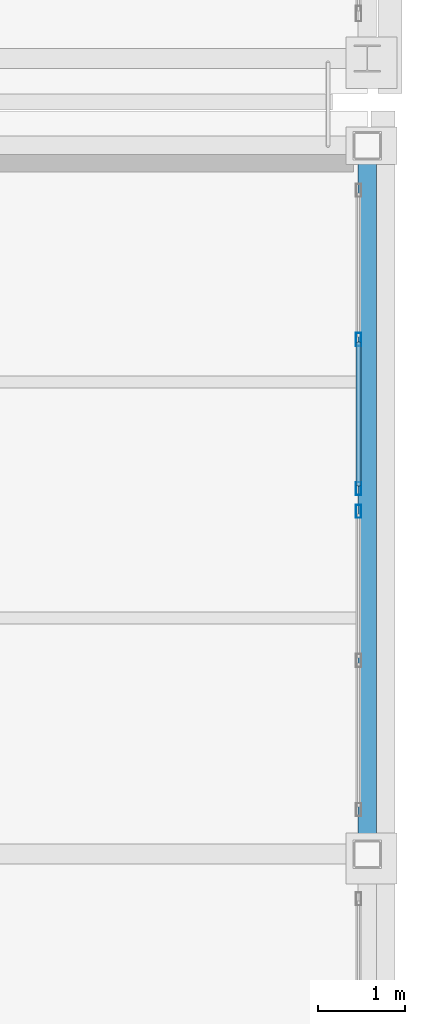
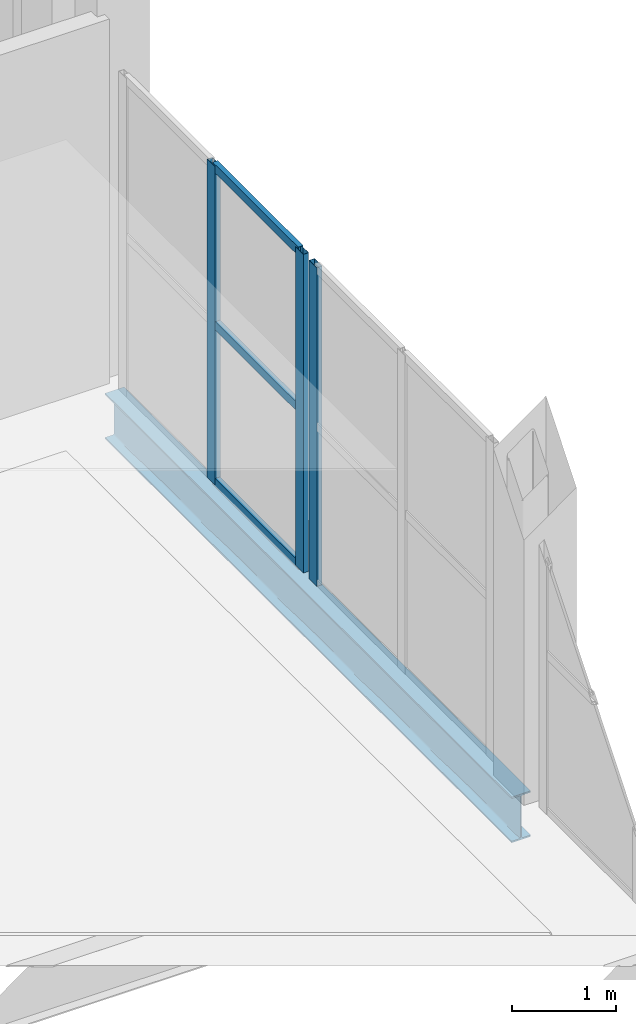
# One storey, part 80 of 156: 6 members, 1 beam, 2 elements without a shape of their own.
"""IFC4 building model written with IfcOpenShell, lengths in metres."""

from ifc_helpers import new_model, si_unit, direction, frame, origin, origin_2d, place, context, subcontext, project, spatial, hollow_rectangle, i_section, extrude, material, material_profile, profile_set, type_object, element, aggregate, save


model = new_model("IFC4")

# Units and contexts
model_context = context("Model", 3, precision=1e-05, world=origin(), true_north=direction((0.0, 1.0)))
body_context = subcontext(model_context, "Body", "Model", "MODEL_VIEW")
ifc_project = project(units=[si_unit("LENGTHUNIT", "METRE"), si_unit("AREAUNIT", "SQUARE_METRE"), si_unit("VOLUMEUNIT", "CUBIC_METRE"), si_unit("PLANEANGLEUNIT", "RADIAN"), si_unit("MASSUNIT", "GRAM", prefix="KILO")], contexts=[model_context])

# Site, building, storey
site_placement = place(None, origin())
site = spatial("IfcSite", under=ifc_project, at=site_placement, CompositionType="ELEMENT")
building_placement = place(site_placement, origin())
building = spatial("IfcBuilding", under=site, at=building_placement, Name="Caurita Quay Ferry Terminal", CompositionType="ELEMENT")
storey_placement = place(building_placement, frame((0.0, 0.0, 5.39990234375)))
storey = spatial("IfcBuildingStorey", under=building, at=storey_placement, Name="L01", CompositionType="ELEMENT", Elevation=5.39990234375)

# Beam
ifc_material_1 = material(Name="Structural steel ASTM A992 Gr. 50", Category="steel")
ifc_material_profile_1 = material_profile(ifc_material_1, i_section(OverallWidth=0.210693359375, OverallDepth=0.53857421875, WebThickness=0.01171875, FlangeThickness=0.018798828125, FilletRadius=0.013916015625, at=origin_2d()), Name="W21X73")
ifc_profile_set_1 = profile_set([ifc_material_profile_1], Name="Structural steel ASTM A992 Gr. 50")
beam_type = type_object("IfcBeamType", Name="BM-GR-W21A", PredefinedType="BEAM", material=ifc_profile_set_1)
beam_placement = place(storey_placement, frame((174.0, 25.62939453125, -0.504150390625), z_axis=(0.0, 1.0, 0.0), x_axis=(-1.0, 0.0, 0.0)))
element("IfcBeam", 1, at=beam_placement, inside=storey, type_object=beam_type, Name="L01 Beam BM-V3P-L01-Y-1740-256", PredefinedType="BEAM", context=body_context, shape_type="SweptSolid", body=[
    extrude(i_section(OverallWidth=0.210693359375, OverallDepth=0.53857421875, WebThickness=0.01171875, FlangeThickness=0.018798828125, FilletRadius=0.013916015625, at=origin_2d()), origin(), (0.0, 0.0, 1.0), 7.841064453125),
])

# Curtain wall, member
ifc_material_2 = material(Name="Laminated solar-control insulated glass", Category="glass")
curtain_wall_type = type_object("IfcCurtainWallType", Name="CW-SYS-16", PredefinedType="NOTDEFINED", material=ifc_material_2)
curtain_wall_1_placement = place(storey_placement, origin())
curtain_wall_1 = element("IfcCurtainWall", 2, at=curtain_wall_1_placement, inside=storey, type_object=curtain_wall_type, Name="Boarding Gangway Ribbon Curtain Wall 134", PredefinedType="NOTDEFINED")
ifc_material_3 = material(Name="Anodized aluminium 6063-T6", Category="aluminium")
ifc_material_profile_2 = material_profile(ifc_material_3, hollow_rectangle(XDim=0.06005859375, YDim=0.14990234375, WallThickness=0.00341796875, at=origin_2d()), Name="ALU-MUL-60X150")
ifc_profile_set_2 = profile_set([ifc_material_profile_2], Name="Anodized aluminium 6063-T6")
member_type_1 = type_object("IfcMemberType", Name="CW-MUL-150", PredefinedType="MULLION", material=ifc_profile_set_2)
member_1_placement = place(storey_placement, frame((173.89990234375, 29.419921875, 0.0), z_axis=(0.0, 0.0, 1.0), x_axis=(-1.0, 0.0, 0.0)))
member_1 = element("IfcMember", 3, at=member_1_placement, type_object=member_type_1, Name="CW-BGW-134 Mullion 3", PredefinedType="MULLION", context=body_context, shape_type="SweptSolid", body=[
    extrude(hollow_rectangle(XDim=0.06005859375, YDim=0.14990234375, WallThickness=0.00341796875, at=origin_2d()), origin(), (0.0, 0.0, 1.0), 3.75),
])
aggregate(curtain_wall_1, [member_1])

# Curtain wall, members
curtain_wall_2_placement = place(storey_placement, origin())
curtain_wall_2 = element("IfcCurtainWall", 4, at=curtain_wall_2_placement, inside=storey, type_object=curtain_wall_type, Name="Boarding Gangway Ribbon Curtain Wall 135", PredefinedType="NOTDEFINED")
member_2_placement = place(storey_placement, frame((173.89990234375, 29.679931640625, 0.0), z_axis=(0.0, 0.0, 1.0), x_axis=(-1.0, 0.0, 0.0)))
member_2 = element("IfcMember", 5, at=member_2_placement, type_object=member_type_1, Name="CW-BGW-135 Mullion 1", PredefinedType="MULLION", context=body_context, shape_type="SweptSolid", body=[
    extrude(hollow_rectangle(XDim=0.06005859375, YDim=0.14990234375, WallThickness=0.00341796875, at=origin_2d()), origin(), (0.0, 0.0, 1.0), 3.75),
])
member_3_placement = place(storey_placement, frame((173.89990234375, 31.385009765625, 0.0), z_axis=(0.0, 0.0, 1.0), x_axis=(-1.0, 0.0, 0.0)))
member_3 = element("IfcMember", 6, at=member_3_placement, type_object=member_type_1, Name="CW-BGW-135 Mullion 2", PredefinedType="MULLION", context=body_context, shape_type="SweptSolid", body=[
    extrude(hollow_rectangle(XDim=0.06005859375, YDim=0.14990234375, WallThickness=0.00341796875, at=origin_2d()), origin(), (0.0, 0.0, 1.0), 3.75),
])
ifc_material_profile_3 = material_profile(ifc_material_3, hollow_rectangle(XDim=0.054931640625, YDim=0.10009765625, WallThickness=0.00341796875, at=origin_2d()), Name="ALU-TRN-55X100")
ifc_profile_set_3 = profile_set([ifc_material_profile_3], Name="Anodized aluminium 6063-T6")
member_type_2 = type_object("IfcMemberType", Name="CW-TRN-100", PredefinedType="USERDEFINED", material=ifc_profile_set_3)
member_4_placement = place(storey_placement, frame((173.89990234375, 29.7080078125, 0.027587890625), z_axis=(0.0, 1.0, 0.0), x_axis=(-1.0, 0.0, 0.0)))
member_4 = element("IfcMember", 7, at=member_4_placement, type_object=member_type_2, Name="CW-BGW-135 Transom 1", ObjectType="TRANSOM", PredefinedType="USERDEFINED", context=body_context, shape_type="SweptSolid", body=[
    extrude(hollow_rectangle(XDim=0.054931640625, YDim=0.10009765625, WallThickness=0.00341796875, at=origin_2d()), origin(), (0.0, 0.0, 1.0), 1.64892578125),
])
member_5_placement = place(storey_placement, frame((173.89990234375, 29.7080078125, 1.875), z_axis=(0.0, 1.0, 0.0), x_axis=(-1.0, 0.0, 0.0)))
member_5 = element("IfcMember", 8, at=member_5_placement, type_object=member_type_2, Name="CW-BGW-135 Transom 2", ObjectType="TRANSOM", PredefinedType="USERDEFINED", context=body_context, shape_type="SweptSolid", body=[
    extrude(hollow_rectangle(XDim=0.054931640625, YDim=0.10009765625, WallThickness=0.00341796875, at=origin_2d()), origin(), (0.0, 0.0, 1.0), 1.64892578125),
])
member_6_placement = place(storey_placement, frame((173.89990234375, 29.7080078125, 3.72265625), z_axis=(0.0, 1.0, 0.0), x_axis=(-1.0, 0.0, 0.0)))
member_6 = element("IfcMember", 9, at=member_6_placement, type_object=member_type_2, Name="CW-BGW-135 Transom 3", ObjectType="TRANSOM", PredefinedType="USERDEFINED", context=body_context, shape_type="SweptSolid", body=[
    extrude(hollow_rectangle(XDim=0.054931640625, YDim=0.10009765625, WallThickness=0.00341796875, at=origin_2d()), origin(), (0.0, 0.0, 1.0), 1.64892578125),
])
aggregate(curtain_wall_2, [member_2, member_3, member_4, member_5, member_6])

save(model, "model.ifc")
